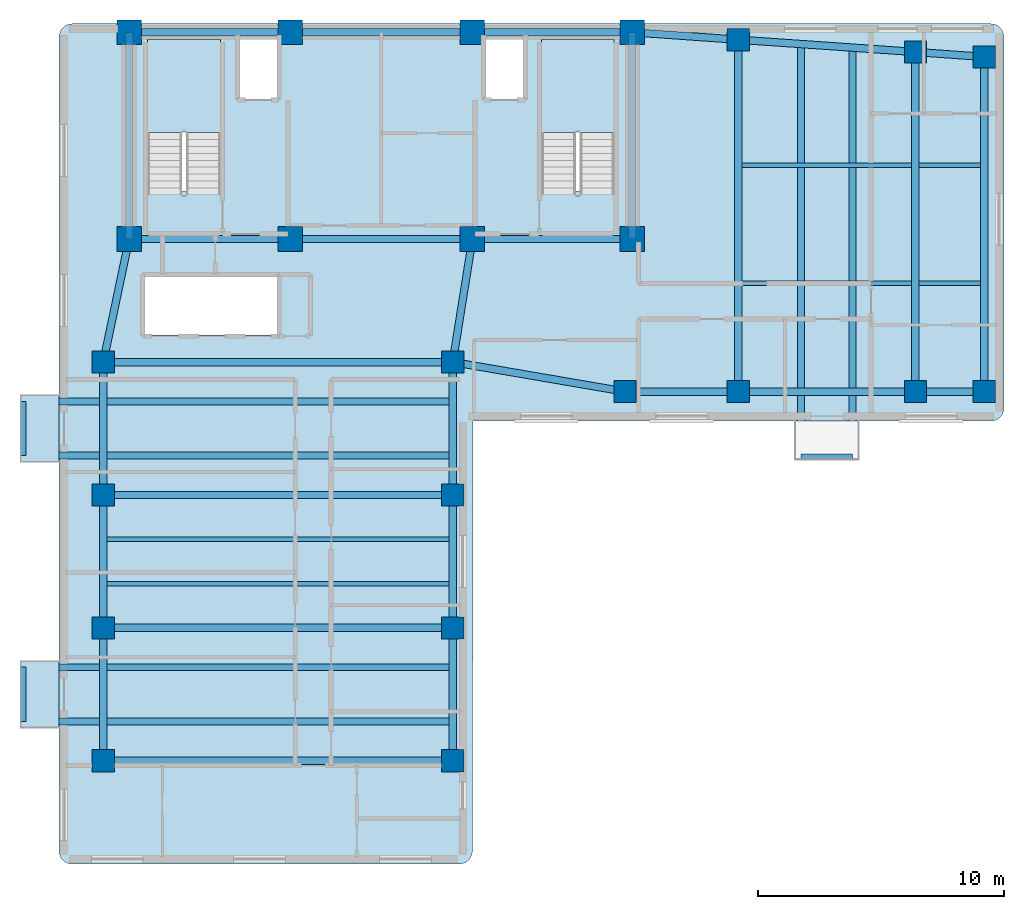
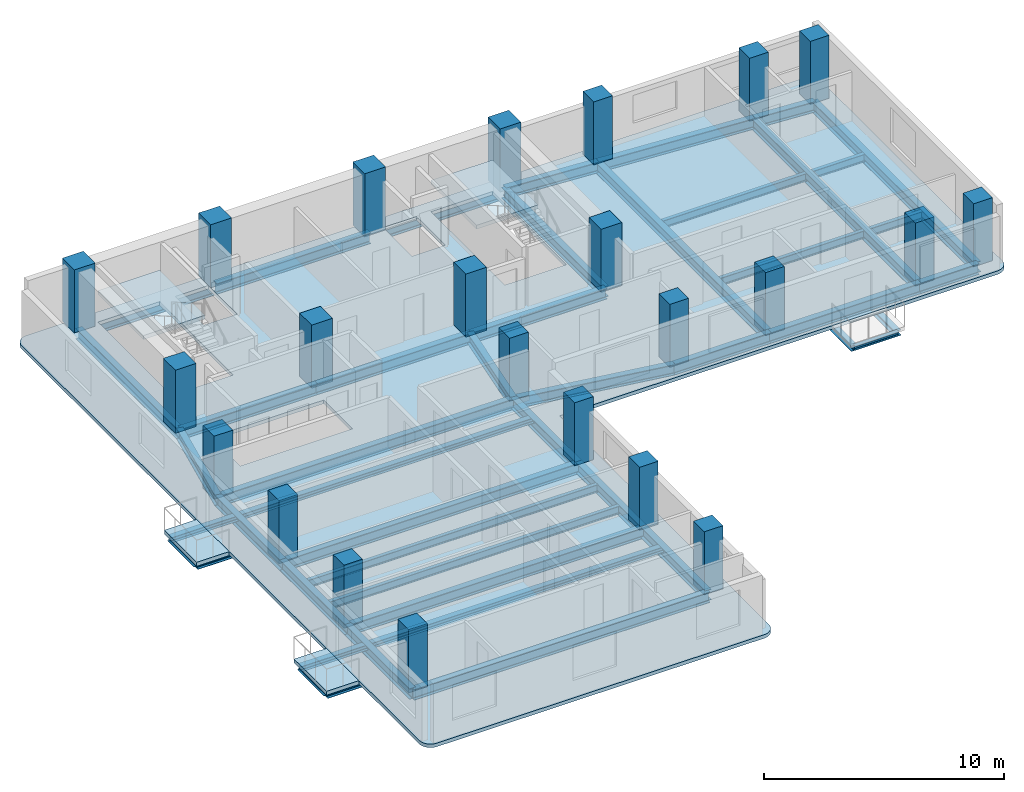
# One storey, part 1 of 7: 45 beams, 23 columns, 5 slabs, 2 elements without a shape of their own.
"""IFC4 building model written with IfcOpenShell, lengths in metres."""

from ifc_helpers import new_model, si_unit, direction, frame, origin, origin_2d, place, context, subcontext, project, spatial, polyline, rectangle, i_section, outline, extrude, material, layer, layer_set, material_profile, profile_set, type_object, element, aggregate, save


model = new_model("IFC4")

# Units and contexts
model_context = context("Model", 3, precision=1e-05, world=origin(), true_north=direction((0.0, 1.0)))
body_context = subcontext(model_context, "Body", "Model", "MODEL_VIEW")
ifc_project = project(units=[si_unit("LENGTHUNIT", "METRE"), si_unit("AREAUNIT", "SQUARE_METRE"), si_unit("VOLUMEUNIT", "CUBIC_METRE"), si_unit("PLANEANGLEUNIT", "RADIAN"), si_unit("MASSUNIT", "GRAM", prefix="KILO")], contexts=[model_context])

# Site, building, storey
site_placement = place(None, origin())
site = spatial("IfcSite", under=ifc_project, at=site_placement, CompositionType="ELEMENT")
building_placement = place(site_placement, origin())
building = spatial("IfcBuilding", under=site, at=building_placement, Name="Kuzgunbayir Cultural Tower", CompositionType="ELEMENT")
storey_placement = place(building_placement, frame((0.0, 0.0, 188.800048828125)))
storey = spatial("IfcBuildingStorey", under=building, at=storey_placement, Name="L55", CompositionType="ELEMENT", Elevation=188.800048828125)

# Columns
ifc_material_1 = material(Name="Concrete C50/60", Category="concrete")
ifc_material_profile_1 = material_profile(ifc_material_1, rectangle(XDim=1.0, YDim=1.0, at=origin_2d()), Name="RC 1000x1000")
ifc_profile_set_1 = profile_set([ifc_material_profile_1], Name="Concrete C50/60")
column_type_1 = type_object("IfcColumnType", Name="COL-CORE-1000", PredefinedType="COLUMN", material=ifc_profile_set_1)
for number, where, z_axis, x_axis, name in (
    (1, (6.449951171875, 33.800048828125, 0.0), (0.0, 0.0, 1.0), (1.0, 0.0, 0.0), "L55 T1 Core Boundary Column CC1-1"),
    (2, (13.0, 33.800048828125, 0.0), (0.0, 0.0, 1.0), (1.0, 0.0, 0.0), "L55 T1 Core Boundary Column CC1-2"),
    (3, (20.39990234375, 33.800048828125, 0.0), (0.0, 0.0, 1.0), (1.0, 0.0, 0.0), "L55 T1 Core Boundary Column CC1-3"),
    (4, (26.89990234375, 33.800048828125, 0.0), (0.0, 0.0, 1.0), (1.0, 0.0, 0.0), "L55 T1 Core Boundary Column CC1-4"),
    (5, (6.449951171875, 42.199951171875, 0.0), (0.0, 0.0, 1.0), (1.0, 0.0, 0.0), "L55 T1 Core Boundary Column CC1-5"),
    (6, (13.0, 42.199951171875, 0.0), (0.0, 0.0, 1.0), (1.0, 0.0, 0.0), "L55 T1 Core Boundary Column CC1-6"),
    (7, (20.39990234375, 42.199951171875, 0.0), (0.0, 0.0, 1.0), (1.0, 0.0, 0.0), "L55 T1 Core Boundary Column CC1-7"),
    (8, (26.89990234375, 42.199951171875, 0.0), (0.0, 0.0, 1.0), (1.0, 0.0, 0.0), "L55 T1 Core Boundary Column CC1-8"),
):
    element("IfcColumn", number, at=place(storey_placement, frame(where, z_axis=z_axis, x_axis=x_axis)), inside=storey, type_object=column_type_1, Name=name, PredefinedType="COLUMN", context=body_context, shape_type="SweptSolid", body=[
        extrude(rectangle(XDim=1.0, YDim=1.0, at=origin_2d()), origin(), (0.0, 0.0, 1.0), 3.199951171875),
    ])
ifc_material_profile_2 = material_profile(ifc_material_1, rectangle(XDim=0.89990234375, YDim=0.89990234375, at=origin_2d()), Name="RC 900x900")
ifc_profile_set_2 = profile_set([ifc_material_profile_2], Name="Concrete C50/60")
column_type_2 = type_object("IfcColumnType", Name="COL-T1-900", PredefinedType="COLUMN", material=ifc_profile_set_2)
for number, where, z_axis, x_axis, name in (
    (9, (5.39990234375, 12.60009765625, 0.0), (0.0, 0.0, 1.0), (1.0, 0.0, 0.0), "L55 Tower 1 Wing A Column T1A-W-1"),
    (10, (19.60009765625, 12.60009765625, 0.0), (0.0, 0.0, 1.0), (1.0, 0.0, 0.0), "L55 Tower 1 Wing A Column T1A-E-1"),
    (11, (5.39990234375, 18.0, 0.0), (0.0, 0.0, 1.0), (1.0, 0.0, 0.0), "L55 Tower 1 Wing A Column T1A-W-2"),
    (12, (19.60009765625, 18.0, 0.0), (0.0, 0.0, 1.0), (1.0, 0.0, 0.0), "L55 Tower 1 Wing A Column T1A-E-2"),
    (13, (5.39990234375, 23.39990234375, 0.0), (0.0, 0.0, 1.0), (1.0, 0.0, 0.0), "L55 Tower 1 Wing A Column T1A-W-3"),
    (14, (19.60009765625, 23.39990234375, 0.0), (0.0, 0.0, 1.0), (1.0, 0.0, 0.0), "L55 Tower 1 Wing A Column T1A-E-3"),
    (15, (5.39990234375, 28.800048828125, 0.0), (0.0, 0.0, 1.0), (1.0, 0.0, 0.0), "L55 Tower 1 Wing A Column T1A-W-4"),
    (16, (19.60009765625, 28.800048828125, 0.0), (0.0, 0.0, 1.0), (1.0, 0.0, 0.0), "L55 Tower 1 Wing A Column T1A-E-4"),
    (17, (26.60009765625, 27.60009765625, 0.0), (0.0, 0.0, 1.0), (1.0, 0.0, 0.0), "L55 Tower 1 Wing B Column T1B-1-1"),
    (18, (31.199951171875, 27.60009765625, 0.0), (0.0, 0.0, 1.0), (1.0, 0.0, 0.0), "L55 Tower 1 Wing B Column T1B-2-1"),
    (19, (31.199951171875, 41.89990234375, 0.0), (0.0, 0.0, 1.0), (1.0, 0.0, 0.0), "L55 Tower 1 Wing B Column T1B-2-2"),
    (20, (38.39990234375, 27.60009765625, 0.0), (0.0, 0.0, 1.0), (1.0, 0.0, 0.0), "L55 Tower 1 Wing B Column T1B-3-1"),
    (21, (38.39990234375, 41.39990234375, 0.0), (0.0, 0.0, 1.0), (1.0, 0.0, 0.0), "L55 Tower 1 Wing B Column T1B-3-2"),
    (22, (41.199951171875, 27.60009765625, 0.0), (0.0, 0.0, 1.0), (1.0, 0.0, 0.0), "L55 Tower 1 Wing B Column T1B-4-1"),
    (23, (41.199951171875, 41.199951171875, 0.0), (0.0, 0.0, 1.0), (1.0, 0.0, 0.0), "L55 Tower 1 Wing B Column T1B-4-2"),
):
    element("IfcColumn", number, at=place(storey_placement, frame(where, z_axis=z_axis, x_axis=x_axis)), inside=storey, type_object=column_type_2, Name=name, PredefinedType="COLUMN", context=body_context, shape_type="SweptSolid", body=[
        extrude(rectangle(XDim=0.89990234375, YDim=0.89990234375, at=origin_2d()), origin(), (0.0, 0.0, 1.0), 3.199951171875),
    ])

# Beams
ifc_material_2 = material(Name="Steel S355J2", Category="steel")
ifc_material_profile_3 = material_profile(ifc_material_2, i_section(OverallWidth=0.280029296875, OverallDepth=0.280029296875, WebThickness=0.010498046875, FlangeThickness=0.01806640625, FilletRadius=0.02392578125, at=origin_2d()), Name="HEB 280")
ifc_profile_set_3 = profile_set([ifc_material_profile_3], Name="Steel S355J2")
beam_type_1 = type_object("IfcBeamType", Name="BM-BAL-HEB280", PredefinedType="BEAM", material=ifc_profile_set_3)
for number, where, z_axis, x_axis, name in (
    (24, (2.159912109375, 14.199951171875, -0.340087890625), (1.0, 0.0, 0.0), (0.0, 1.0, 0.0), "L55 Balcony Outrigger Beam BAL-L55-WA1.1"),
    (25, (2.159912109375, 16.39990234375, -0.340087890625), (1.0, 0.0, 0.0), (0.0, 1.0, 0.0), "L55 Balcony Outrigger Beam BAL-L55-WA1.2"),
    (26, (2.159912109375, 25.0, -0.340087890625), (1.0, 0.0, 0.0), (0.0, 1.0, 0.0), "L55 Balcony Outrigger Beam BAL-L55-WA3.1"),
    (27, (2.159912109375, 27.199951171875, -0.340087890625), (1.0, 0.0, 0.0), (0.0, 1.0, 0.0), "L55 Balcony Outrigger Beam BAL-L55-WA3.2"),
):
    element("IfcBeam", number, at=place(storey_placement, frame(where, z_axis=z_axis, x_axis=x_axis)), inside=storey, type_object=beam_type_1, Name=name, PredefinedType="BEAM", context=body_context, shape_type="SweptSolid", body=[
        extrude(i_section(OverallWidth=0.280029296875, OverallDepth=0.280029296875, WebThickness=0.010498046875, FlangeThickness=0.01806640625, FilletRadius=0.02392578125, at=origin_2d()), origin(), (0.0, 0.0, 1.0), 17.440185546875),
    ])
beam_1_placement = place(storey_placement, frame((33.75, 24.9599609375, -0.340087890625), z_axis=(0.0, 1.0, 0.0), x_axis=(-1.0, 0.0, 0.0)))
element("IfcBeam", 28, at=beam_1_placement, inside=storey, type_object=beam_type_1, Name="L55 Balcony Outrigger Beam BAL-L55-WB2.1", PredefinedType="BEAM", context=body_context, shape_type="SweptSolid", body=[
    extrude(i_section(OverallWidth=0.280029296875, OverallDepth=0.280029296875, WebThickness=0.010498046875, FlangeThickness=0.01806640625, FilletRadius=0.02392578125, at=origin_2d()), origin(), (0.0, 0.0, 1.0), 16.760009765625),
])
beam_2_placement = place(storey_placement, frame((35.85009765625, 24.9599609375, -0.340087890625), z_axis=(0.0, 1.0, 0.0), x_axis=(-1.0, 0.0, 0.0)))
element("IfcBeam", 29, at=beam_2_placement, inside=storey, type_object=beam_type_1, Name="L55 Balcony Outrigger Beam BAL-L55-WB2.2", PredefinedType="BEAM", context=body_context, shape_type="SweptSolid", body=[
    extrude(i_section(OverallWidth=0.280029296875, OverallDepth=0.280029296875, WebThickness=0.010498046875, FlangeThickness=0.01806640625, FilletRadius=0.02392578125, at=origin_2d()), origin(), (0.0, 0.0, 1.0), 16.6201171875),
])
ifc_material_profile_4 = material_profile(ifc_material_2, i_section(OverallWidth=0.199951171875, OverallDepth=0.199951171875, WebThickness=0.009033203125, FlangeThickness=0.014892578125, FilletRadius=0.01806640625, at=origin_2d()), Name="HEB 200")
ifc_profile_set_4 = profile_set([ifc_material_profile_4], Name="Steel S355J2")
beam_type_2 = type_object("IfcBeamType", Name="BM-CAN-HEB200", PredefinedType="BEAM", material=ifc_profile_set_4)
for number, where, z_axis, x_axis, name in (
    (30, (2.159912109375, 14.199951171875, -0.300048828125), (0.0, 1.0, 0.0), (-1.0, 0.0, 0.0), "L55 Balcony Edge Header BAL-L55-WA1"),
    (31, (2.159912109375, 25.0, -0.300048828125), (0.0, 1.0, 0.0), (-1.0, 0.0, 0.0), "L55 Balcony Edge Header BAL-L55-WA3"),
):
    element("IfcBeam", number, at=place(storey_placement, frame(where, z_axis=z_axis, x_axis=x_axis)), inside=storey, type_object=beam_type_2, Name=name, PredefinedType="BEAM", context=body_context, shape_type="SweptSolid", body=[
        extrude(i_section(OverallWidth=0.199951171875, OverallDepth=0.199951171875, WebThickness=0.009033203125, FlangeThickness=0.014892578125, FilletRadius=0.01806640625, at=origin_2d()), origin(), (0.0, 0.0, 1.0), 2.199951171875),
    ])
beam_3_placement = place(storey_placement, frame((33.75, 24.9599609375, -0.300048828125), z_axis=(1.0, 0.0, 0.0), x_axis=(0.0, 1.0, 0.0)))
element("IfcBeam", 32, at=beam_3_placement, inside=storey, type_object=beam_type_2, Name="L55 Balcony Edge Header BAL-L55-WB2", PredefinedType="BEAM", context=body_context, shape_type="SweptSolid", body=[
    extrude(i_section(OverallWidth=0.199951171875, OverallDepth=0.199951171875, WebThickness=0.009033203125, FlangeThickness=0.014892578125, FilletRadius=0.01806640625, at=origin_2d()), origin(), (0.0, 0.0, 1.0), 2.10009765625),
])
ifc_material_profile_5 = material_profile(ifc_material_2, i_section(OverallWidth=0.300048828125, OverallDepth=0.550048828125, WebThickness=0.014892578125, FlangeThickness=0.029052734375, FilletRadius=0.027099609375, at=origin_2d()), Name="HEB 550")
ifc_profile_set_5 = profile_set([ifc_material_profile_5], Name="Steel S355J2")
beam_type_3 = type_object("IfcBeamType", Name="BM-EXT-HEB550", PredefinedType="BEAM", material=ifc_profile_set_5)
for number, where, z_axis, x_axis, name in (
    (33, (5.39990234375, 12.60009765625, -0.4599609375), (0.0, 1.0, 0.0), (-1.0, 0.0, 0.0), "L55 Wing A West Girder 1"),
    (34, (19.60009765625, 12.60009765625, -0.4599609375), (0.0, 1.0, 0.0), (-1.0, 0.0, 0.0), "L55 Wing A East Girder 1"),
    (35, (5.39990234375, 18.0, -0.4599609375), (0.0, 1.0, 0.0), (-1.0, 0.0, 0.0), "L55 Wing A West Girder 2"),
    (36, (19.60009765625, 18.0, -0.4599609375), (0.0, 1.0, 0.0), (-1.0, 0.0, 0.0), "L55 Wing A East Girder 2"),
):
    element("IfcBeam", number, at=place(storey_placement, frame(where, z_axis=z_axis, x_axis=x_axis)), inside=storey, type_object=beam_type_3, Name=name, PredefinedType="BEAM", context=body_context, shape_type="SweptSolid", body=[
        extrude(i_section(OverallWidth=0.300048828125, OverallDepth=0.550048828125, WebThickness=0.014892578125, FlangeThickness=0.029052734375, FilletRadius=0.027099609375, at=origin_2d()), origin(), (0.0, 0.0, 1.0), 5.39990234375),
    ])
for number, where, z_axis, x_axis, name in (
    (37, (5.39990234375, 23.39990234375, -0.4599609375), (0.0, 1.0, 0.0), (-1.0, 0.0, 0.0), "L55 Wing A West Girder 3"),
    (38, (19.60009765625, 23.39990234375, -0.4599609375), (0.0, 1.0, 0.0), (-1.0, 0.0, 0.0), "L55 Wing A East Girder 3"),
):
    element("IfcBeam", number, at=place(storey_placement, frame(where, z_axis=z_axis, x_axis=x_axis)), inside=storey, type_object=beam_type_3, Name=name, PredefinedType="BEAM", context=body_context, shape_type="SweptSolid", body=[
        extrude(i_section(OverallWidth=0.300048828125, OverallDepth=0.550048828125, WebThickness=0.014892578125, FlangeThickness=0.029052734375, FilletRadius=0.027099609375, at=origin_2d()), origin(), (0.0, 0.0, 1.0), 5.400146484375),
    ])
beam_4_placement = place(storey_placement, frame((26.60009765625, 27.60009765625, -0.4599609375), z_axis=(1.0, 0.0, 0.0), x_axis=(0.0, 1.0, 0.0)))
element("IfcBeam", 39, at=beam_4_placement, inside=storey, type_object=beam_type_3, Name="L55 Wing B South Girder 1", PredefinedType="BEAM", context=body_context, shape_type="SweptSolid", body=[
    extrude(i_section(OverallWidth=0.300048828125, OverallDepth=0.550048828125, WebThickness=0.014892578125, FlangeThickness=0.029052734375, FilletRadius=0.027099609375, at=origin_2d()), origin(), (0.0, 0.0, 1.0), 4.599853515625),
])
beam_5_placement = place(storey_placement, frame((26.89990234375, 42.199951171875, -0.4599609375), z_axis=(0.997574369175, -0.069608749203, 0.0), x_axis=(0.069608749203, 0.997574369175, 0.0)))
element("IfcBeam", 40, at=beam_5_placement, inside=storey, type_object=beam_type_3, Name="L55 Wing B North Girder 1", PredefinedType="BEAM", context=body_context, shape_type="SweptSolid", body=[
    extrude(i_section(OverallWidth=0.300048828125, OverallDepth=0.550048828125, WebThickness=0.014892578125, FlangeThickness=0.029052734375, FilletRadius=0.027099609375, at=origin_2d()), origin(), (0.0, 0.0, 1.0), 4.310546875),
])
beam_6_placement = place(storey_placement, frame((31.199951171875, 27.60009765625, -0.4599609375), z_axis=(1.0, 0.0, 0.0), x_axis=(0.0, 1.0, 0.0)))
element("IfcBeam", 41, at=beam_6_placement, inside=storey, type_object=beam_type_3, Name="L55 Wing B South Girder 2", PredefinedType="BEAM", context=body_context, shape_type="SweptSolid", body=[
    extrude(i_section(OverallWidth=0.300048828125, OverallDepth=0.550048828125, WebThickness=0.014892578125, FlangeThickness=0.029052734375, FilletRadius=0.027099609375, at=origin_2d()), origin(), (0.0, 0.0, 1.0), 7.199951171875),
])
beam_7_placement = place(storey_placement, frame((31.199951171875, 41.89990234375, -0.4599609375), z_axis=(0.997597388498, -0.069278066245, 0.0), x_axis=(0.069278066245, 0.997597388498, 0.0)))
element("IfcBeam", 42, at=beam_7_placement, inside=storey, type_object=beam_type_3, Name="L55 Wing B North Girder 2", PredefinedType="BEAM", context=body_context, shape_type="SweptSolid", body=[
    extrude(i_section(OverallWidth=0.300048828125, OverallDepth=0.550048828125, WebThickness=0.014892578125, FlangeThickness=0.029052734375, FilletRadius=0.027099609375, at=origin_2d()), origin(), (0.0, 0.0, 1.0), 7.21728515625),
])
beam_8_placement = place(storey_placement, frame((38.39990234375, 27.60009765625, -0.4599609375), z_axis=(1.0, 0.0, 0.0), x_axis=(0.0, 1.0, 0.0)))
element("IfcBeam", 43, at=beam_8_placement, inside=storey, type_object=beam_type_3, Name="L55 Wing B South Girder 3", PredefinedType="BEAM", context=body_context, shape_type="SweptSolid", body=[
    extrude(i_section(OverallWidth=0.300048828125, OverallDepth=0.550048828125, WebThickness=0.014892578125, FlangeThickness=0.029052734375, FilletRadius=0.027099609375, at=origin_2d()), origin(), (0.0, 0.0, 1.0), 2.800048828125),
])
beam_9_placement = place(storey_placement, frame((38.39990234375, 41.39990234375, -0.4599609375), z_axis=(0.997460024076, -0.071228508128, 0.0), x_axis=(0.071228508128, 0.997460024076, 0.0)))
element("IfcBeam", 44, at=beam_9_placement, inside=storey, type_object=beam_type_3, Name="L55 Wing B North Girder 3", PredefinedType="BEAM", context=body_context, shape_type="SweptSolid", body=[
    extrude(i_section(OverallWidth=0.300048828125, OverallDepth=0.550048828125, WebThickness=0.014892578125, FlangeThickness=0.029052734375, FilletRadius=0.027099609375, at=origin_2d()), origin(), (0.0, 0.0, 1.0), 2.80712890625),
])
ifc_material_profile_6 = material_profile(ifc_material_2, i_section(OverallWidth=0.300048828125, OverallDepth=0.550048828125, WebThickness=0.014892578125, FlangeThickness=0.029052734375, FilletRadius=0.027099609375, at=origin_2d()), Name="HEB 550")
ifc_profile_set_6 = profile_set([ifc_material_profile_6], Name="Steel S355J2")
beam_type_4 = type_object("IfcBeamType", Name="BM-GIR-HEB550", PredefinedType="BEAM", material=ifc_profile_set_6)
beam_10_placement = place(storey_placement, frame((6.449951171875, 33.800048828125, -0.4599609375), z_axis=(1.0, 0.0, 0.0), x_axis=(0.0, 1.0, 0.0)))
element("IfcBeam", 45, at=beam_10_placement, inside=storey, type_object=beam_type_4, Name="L55 Core South Girder 1", PredefinedType="BEAM", context=body_context, shape_type="SweptSolid", body=[
    extrude(i_section(OverallWidth=0.300048828125, OverallDepth=0.550048828125, WebThickness=0.014892578125, FlangeThickness=0.029052734375, FilletRadius=0.027099609375, at=origin_2d()), origin(), (0.0, 0.0, 1.0), 6.550048828125),
])
beam_11_placement = place(storey_placement, frame((13.0, 33.800048828125, -0.4599609375), z_axis=(1.0, 0.0, 0.0), x_axis=(0.0, 1.0, 0.0)))
element("IfcBeam", 46, at=beam_11_placement, inside=storey, type_object=beam_type_4, Name="L55 Core South Girder 2", PredefinedType="BEAM", context=body_context, shape_type="SweptSolid", body=[
    extrude(i_section(OverallWidth=0.300048828125, OverallDepth=0.550048828125, WebThickness=0.014892578125, FlangeThickness=0.029052734375, FilletRadius=0.027099609375, at=origin_2d()), origin(), (0.0, 0.0, 1.0), 7.39990234375),
])
beam_12_placement = place(storey_placement, frame((20.39990234375, 33.800048828125, -0.4599609375), z_axis=(1.0, 0.0, 0.0), x_axis=(0.0, 1.0, 0.0)))
element("IfcBeam", 47, at=beam_12_placement, inside=storey, type_object=beam_type_4, Name="L55 Core South Girder 3", PredefinedType="BEAM", context=body_context, shape_type="SweptSolid", body=[
    extrude(i_section(OverallWidth=0.300048828125, OverallDepth=0.550048828125, WebThickness=0.014892578125, FlangeThickness=0.029052734375, FilletRadius=0.027099609375, at=origin_2d()), origin(), (0.0, 0.0, 1.0), 6.5),
])
beam_13_placement = place(storey_placement, frame((6.449951171875, 42.199951171875, -0.4599609375), z_axis=(1.0, 0.0, 0.0), x_axis=(0.0, 1.0, 0.0)))
element("IfcBeam", 48, at=beam_13_placement, inside=storey, type_object=beam_type_4, Name="L55 Core North Girder 1", PredefinedType="BEAM", context=body_context, shape_type="SweptSolid", body=[
    extrude(i_section(OverallWidth=0.300048828125, OverallDepth=0.550048828125, WebThickness=0.014892578125, FlangeThickness=0.029052734375, FilletRadius=0.027099609375, at=origin_2d()), origin(), (0.0, 0.0, 1.0), 6.550048828125),
])
beam_14_placement = place(storey_placement, frame((13.0, 42.199951171875, -0.4599609375), z_axis=(1.0, 0.0, 0.0), x_axis=(0.0, 1.0, 0.0)))
element("IfcBeam", 49, at=beam_14_placement, inside=storey, type_object=beam_type_4, Name="L55 Core North Girder 2", PredefinedType="BEAM", context=body_context, shape_type="SweptSolid", body=[
    extrude(i_section(OverallWidth=0.300048828125, OverallDepth=0.550048828125, WebThickness=0.014892578125, FlangeThickness=0.029052734375, FilletRadius=0.027099609375, at=origin_2d()), origin(), (0.0, 0.0, 1.0), 7.39990234375),
])
beam_15_placement = place(storey_placement, frame((20.39990234375, 42.199951171875, -0.4599609375), z_axis=(1.0, 0.0, 0.0), x_axis=(0.0, 1.0, 0.0)))
element("IfcBeam", 50, at=beam_15_placement, inside=storey, type_object=beam_type_4, Name="L55 Core North Girder 3", PredefinedType="BEAM", context=body_context, shape_type="SweptSolid", body=[
    extrude(i_section(OverallWidth=0.300048828125, OverallDepth=0.550048828125, WebThickness=0.014892578125, FlangeThickness=0.029052734375, FilletRadius=0.027099609375, at=origin_2d()), origin(), (0.0, 0.0, 1.0), 6.5),
])
for number, where, z_axis, x_axis, name in (
    (51, (6.449951171875, 33.800048828125, -0.4599609375), (0.0, 1.0, 0.0), (-1.0, 0.0, 0.0), "L55 Core West Edge Girder"),
    (52, (26.89990234375, 33.800048828125, -0.4599609375), (0.0, 1.0, 0.0), (-1.0, 0.0, 0.0), "L55 Core East Edge Girder"),
):
    element("IfcBeam", number, at=place(storey_placement, frame(where, z_axis=z_axis, x_axis=x_axis)), inside=storey, type_object=beam_type_4, Name=name, PredefinedType="BEAM", context=body_context, shape_type="SweptSolid", body=[
        extrude(i_section(OverallWidth=0.300048828125, OverallDepth=0.550048828125, WebThickness=0.014892578125, FlangeThickness=0.029052734375, FilletRadius=0.027099609375, at=origin_2d()), origin(), (0.0, 0.0, 1.0), 8.39990234375),
    ])
for number, where, z_axis, x_axis, name in (
    (53, (5.39990234375, 12.60009765625, -0.4599609375), (1.0, 0.0, 0.0), (0.0, 1.0, 0.0), "L55 Wing A Transverse Girder 1"),
    (54, (5.39990234375, 18.0, -0.4599609375), (1.0, 0.0, 0.0), (0.0, 1.0, 0.0), "L55 Wing A Transverse Girder 2"),
    (55, (5.39990234375, 23.39990234375, -0.4599609375), (1.0, 0.0, 0.0), (0.0, 1.0, 0.0), "L55 Wing A Transverse Girder 3"),
    (56, (5.39990234375, 28.800048828125, -0.4599609375), (1.0, 0.0, 0.0), (0.0, 1.0, 0.0), "L55 Wing A Transverse Girder 4"),
):
    element("IfcBeam", number, at=place(storey_placement, frame(where, z_axis=z_axis, x_axis=x_axis)), inside=storey, type_object=beam_type_4, Name=name, PredefinedType="BEAM", context=body_context, shape_type="SweptSolid", body=[
        extrude(i_section(OverallWidth=0.300048828125, OverallDepth=0.550048828125, WebThickness=0.014892578125, FlangeThickness=0.029052734375, FilletRadius=0.027099609375, at=origin_2d()), origin(), (0.0, 0.0, 1.0), 14.2001953125),
    ])
beam_16_placement = place(storey_placement, frame((5.39990234375, 28.800048828125, -0.4599609375), z_axis=(0.205526387753, 0.978651574329, 0.0), x_axis=(-0.978651574329, 0.205526387753, 0.0)))
element("IfcBeam", 57, at=beam_16_placement, inside=storey, type_object=beam_type_4, Name="L55 Wing A West Core Floor Girder", PredefinedType="BEAM", context=body_context, shape_type="SweptSolid", body=[
    extrude(i_section(OverallWidth=0.300048828125, OverallDepth=0.550048828125, WebThickness=0.014892578125, FlangeThickness=0.029052734375, FilletRadius=0.027099609375, at=origin_2d()), origin(), (0.0, 0.0, 1.0), 5.109130859375),
])
beam_17_placement = place(storey_placement, frame((19.60009765625, 28.800048828125, -0.4599609375), z_axis=(0.157952891656, 0.987446648694, 0.0), x_axis=(-0.987446648694, 0.157952891656, 0.0)))
element("IfcBeam", 58, at=beam_17_placement, inside=storey, type_object=beam_type_4, Name="L55 Wing A East Core Floor Girder", PredefinedType="BEAM", context=body_context, shape_type="SweptSolid", body=[
    extrude(i_section(OverallWidth=0.300048828125, OverallDepth=0.550048828125, WebThickness=0.014892578125, FlangeThickness=0.029052734375, FilletRadius=0.027099609375, at=origin_2d()), origin(), (0.0, 0.0, 1.0), 5.0634765625),
])
beam_18_placement = place(storey_placement, frame((31.199951171875, 27.60009765625, -0.4599609375), z_axis=(0.0, 1.0, 0.0), x_axis=(-1.0, 0.0, 0.0)))
element("IfcBeam", 59, at=beam_18_placement, inside=storey, type_object=beam_type_4, Name="L55 Wing B Cross Girder 31", PredefinedType="BEAM", context=body_context, shape_type="SweptSolid", body=[
    extrude(i_section(OverallWidth=0.300048828125, OverallDepth=0.550048828125, WebThickness=0.014892578125, FlangeThickness=0.029052734375, FilletRadius=0.027099609375, at=origin_2d()), origin(), (0.0, 0.0, 1.0), 14.2998046875),
])
beam_19_placement = place(storey_placement, frame((38.39990234375, 27.60009765625, -0.4599609375), z_axis=(0.0, 1.0, 0.0), x_axis=(-1.0, 0.0, 0.0)))
element("IfcBeam", 60, at=beam_19_placement, inside=storey, type_object=beam_type_4, Name="L55 Wing B Cross Girder 38", PredefinedType="BEAM", context=body_context, shape_type="SweptSolid", body=[
    extrude(i_section(OverallWidth=0.300048828125, OverallDepth=0.550048828125, WebThickness=0.014892578125, FlangeThickness=0.029052734375, FilletRadius=0.027099609375, at=origin_2d()), origin(), (0.0, 0.0, 1.0), 13.7998046875),
])
beam_20_placement = place(storey_placement, frame((41.199951171875, 27.60009765625, -0.4599609375), z_axis=(0.0, 1.0, 0.0), x_axis=(-1.0, 0.0, 0.0)))
element("IfcBeam", 61, at=beam_20_placement, inside=storey, type_object=beam_type_4, Name="L55 Wing B Cross Girder 41", PredefinedType="BEAM", context=body_context, shape_type="SweptSolid", body=[
    extrude(i_section(OverallWidth=0.300048828125, OverallDepth=0.550048828125, WebThickness=0.014892578125, FlangeThickness=0.029052734375, FilletRadius=0.027099609375, at=origin_2d()), origin(), (0.0, 0.0, 1.0), 13.599853515625),
])
beam_21_placement = place(storey_placement, frame((19.60009765625, 28.800048828125, -0.4599609375), z_axis=(0.985623399742, -0.168957136221, 0.0), x_axis=(0.168957136221, 0.985623399742, 0.0)))
element("IfcBeam", 62, at=beam_21_placement, inside=storey, type_object=beam_type_4, Name="L55 Wing B Waist Tie Girder", PredefinedType="BEAM", context=body_context, shape_type="SweptSolid", body=[
    extrude(i_section(OverallWidth=0.300048828125, OverallDepth=0.550048828125, WebThickness=0.014892578125, FlangeThickness=0.029052734375, FilletRadius=0.027099609375, at=origin_2d()), origin(), (0.0, 0.0, 1.0), 7.10205078125),
])
ifc_material_profile_7 = material_profile(ifc_material_2, i_section(OverallWidth=0.179931640625, OverallDepth=0.39990234375, WebThickness=0.008544921875, FlangeThickness=0.013427734375, FilletRadius=0.02099609375, at=origin_2d()), Name="IPE 400")
ifc_profile_set_7 = profile_set([ifc_material_profile_7], Name="Steel S355J2")
beam_type_5 = type_object("IfcBeamType", Name="BM-JST-IPE400", PredefinedType="JOIST", material=ifc_profile_set_7)
for number, where, z_axis, x_axis, name in (
    (63, (5.550048828125, 19.800048828125, -0.380126953125), (1.0, 0.0, 0.0), (0.0, 1.0, 0.0), "L55 Wing A Secondary Joist 3"),
    (64, (5.550048828125, 21.60009765625, -0.380126953125), (1.0, 0.0, 0.0), (0.0, 1.0, 0.0), "L55 Wing A Secondary Joist 4"),
):
    element("IfcBeam", number, at=place(storey_placement, frame(where, z_axis=z_axis, x_axis=x_axis)), inside=storey, type_object=beam_type_5, Name=name, PredefinedType="JOIST", context=body_context, shape_type="SweptSolid", body=[
        extrude(i_section(OverallWidth=0.179931640625, OverallDepth=0.39990234375, WebThickness=0.008544921875, FlangeThickness=0.013427734375, FilletRadius=0.02099609375, at=origin_2d()), origin(), (0.0, 0.0, 1.0), 13.89990234375),
    ])
for number, where, z_axis, x_axis, name in (
    (65, (31.35009765625, 32.0, -0.380126953125), (1.0, 0.0, 0.0), (0.0, 1.0, 0.0), "L55 Wing B Secondary Joist 1.1"),
    (66, (31.35009765625, 36.800048828125, -0.380126953125), (1.0, 0.0, 0.0), (0.0, 1.0, 0.0), "L55 Wing B Secondary Joist 1.2"),
):
    element("IfcBeam", number, at=place(storey_placement, frame(where, z_axis=z_axis, x_axis=x_axis)), inside=storey, type_object=beam_type_5, Name=name, PredefinedType="JOIST", context=body_context, shape_type="SweptSolid", body=[
        extrude(i_section(OverallWidth=0.179931640625, OverallDepth=0.39990234375, WebThickness=0.008544921875, FlangeThickness=0.013427734375, FilletRadius=0.02099609375, at=origin_2d()), origin(), (0.0, 0.0, 1.0), 6.89990234375),
    ])
for number, where, z_axis, x_axis, name in (
    (67, (38.550048828125, 32.0, -0.380126953125), (1.0, 0.0, 0.0), (0.0, 1.0, 0.0), "L55 Wing B Secondary Joist 2.1"),
    (68, (38.550048828125, 36.800048828125, -0.380126953125), (1.0, 0.0, 0.0), (0.0, 1.0, 0.0), "L55 Wing B Secondary Joist 2.2"),
):
    element("IfcBeam", number, at=place(storey_placement, frame(where, z_axis=z_axis, x_axis=x_axis)), inside=storey, type_object=beam_type_5, Name=name, PredefinedType="JOIST", context=body_context, shape_type="SweptSolid", body=[
        extrude(i_section(OverallWidth=0.179931640625, OverallDepth=0.39990234375, WebThickness=0.008544921875, FlangeThickness=0.013427734375, FilletRadius=0.02099609375, at=origin_2d()), origin(), (0.0, 0.0, 1.0), 2.5),
    ])

# Slabs
ifc_material_3 = material(Name="Concrete C40/50", Category="concrete")
ifc_layer_1 = layer(ifc_material_3, 0.199951171875)
ifc_layer_set_1 = layer_set([ifc_layer_1], Name="Concrete C40/50")
slab_type_1 = type_object("IfcSlabType", Name="SLB-BAL-STONE", PredefinedType="FLOOR", material=ifc_layer_set_1)
slab_1_placement = place(storey_placement, frame((0.0, 0.0, -0.199951171875)))
element("IfcSlab", 69, at=slab_1_placement, inside=storey, type_object=slab_type_1, Name="L55 Projecting Limestone Balcony BAL-L55-WA1", PredefinedType="FLOOR", context=body_context, shape_type="SweptSolid", body=[
    extrude(outline(polyline([(2.0400390625, 13.949951171875), (3.60009765625, 13.949951171875), (3.60009765625, 16.64990234375), (2.0400390625, 16.64990234375), (2.0400390625, 13.949951171875)])), origin(), (0.0, 0.0, 1.0), 0.199951171875),
])
slab_2_placement = place(storey_placement, frame((0.0, 0.0, -0.199951171875)))
element("IfcSlab", 70, at=slab_2_placement, inside=storey, type_object=slab_type_1, Name="L55 Projecting Limestone Balcony BAL-L55-WA3", PredefinedType="FLOOR", context=body_context, shape_type="SweptSolid", body=[
    extrude(outline(polyline([(2.0400390625, 24.75), (3.60009765625, 24.75), (3.60009765625, 27.449951171875), (2.0400390625, 27.449951171875), (2.0400390625, 24.75)])), origin(), (0.0, 0.0, 1.0), 0.199951171875),
])

# Stair, slab
stair_type = type_object("IfcStairType", Name="STR-EXIT-CORE", PredefinedType="HALF_TURN_STAIR", material=ifc_material_3)
stair_1_placement = place(storey_placement, origin())
stair_1 = element("IfcStair", 71, at=stair_1_placement, inside=storey, type_object=stair_type, Name="L55 ST-1", PredefinedType="HALF_TURN_STAIR")
ifc_layer_2 = layer(ifc_material_3, 0.179931640625)
ifc_layer_set_2 = layer_set([ifc_layer_2], Name="Concrete C40/50")
slab_type_2 = type_object("IfcSlabType", Name="SLB-LANDING-180", PredefinedType="LANDING", material=ifc_layer_set_2)
slab_3_placement = place(storey_placement, frame((0.0, 0.0, 1.39990234375)))
slab_3 = element("IfcSlab", 72, at=slab_3_placement, type_object=slab_type_2, Name="ST-1 landing 1", PredefinedType="LANDING", context=body_context, shape_type="SweptSolid", body=[
    extrude(outline(polyline([(10.159912109375, 38.1201171875), (10.159912109375, 41.89990234375), (7.199951171875, 41.89990234375), (7.199951171875, 38.1201171875), (10.159912109375, 38.1201171875)])), origin(), (0.0, 0.0, 1.0), 0.199951171875),
])
aggregate(stair_1, [slab_3])

stair_2_placement = place(storey_placement, origin())
stair_2 = element("IfcStair", 73, at=stair_2_placement, inside=storey, type_object=stair_type, Name="L55 ST-2", PredefinedType="HALF_TURN_STAIR")
slab_4_placement = place(storey_placement, frame((0.0, 0.0, 1.39990234375)))
slab_4 = element("IfcSlab", 74, at=slab_4_placement, type_object=slab_type_2, Name="ST-2 landing 1", PredefinedType="LANDING", context=body_context, shape_type="SweptSolid", body=[
    extrude(outline(polyline([(26.159912109375, 38.1201171875), (26.159912109375, 41.89990234375), (23.199951171875, 41.89990234375), (23.199951171875, 38.1201171875), (26.159912109375, 38.1201171875)])), origin(), (0.0, 0.0, 1.0), 0.199951171875),
])
aggregate(stair_2, [slab_4])

# Slab
ifc_layer_3 = layer(ifc_material_3, 0.179931640625)
ifc_layer_set_3 = layer_set([ifc_layer_3], Name="Concrete C40/50")
slab_type_3 = type_object("IfcSlabType", Name="SLB-TYP-180", PredefinedType="FLOOR", material=ifc_layer_set_3)
slab_5_placement = place(storey_placement, frame((0.0, 0.0, -0.179931640625)))
element("IfcSlab", 75, at=slab_5_placement, inside=storey, type_object=slab_type_3, Name="L55 Tower 1 Floor Slab T1-MAIN", PredefinedType="FLOOR", context=body_context, shape_type="SweptSolid", body=[
    extrude(outline(polyline([(20.39990234375, 8.949951171875), (20.389892578125, 8.840087890625), (20.360107421875, 8.739990234375), (20.31005859375, 8.639892578125), (20.239990234375, 8.56005859375), (20.159912109375, 8.489990234375), (20.06005859375, 8.43994140625), (19.9599609375, 8.409912109375), (19.85009765625, 8.39990234375), (4.14990234375, 8.39990234375), (4.0400390625, 8.409912109375), (3.93994140625, 8.43994140625), (3.840087890625, 8.489990234375), (3.760009765625, 8.56005859375), (3.68994140625, 8.639892578125), (3.639892578125, 8.739990234375), (3.610107421875, 8.840087890625), (3.60009765625, 8.949951171875), (3.60009765625, 42.0), (3.610107421875, 42.110107421875), (3.639892578125, 42.2099609375), (3.68994140625, 42.31005859375), (3.760009765625, 42.389892578125), (3.840087890625, 42.4599609375), (3.93994140625, 42.510009765625), (4.0400390625, 42.5400390625), (4.14990234375, 42.550048828125), (41.449951171875, 42.550048828125), (41.56005859375, 42.5400390625), (41.659912109375, 42.510009765625), (41.760009765625, 42.4599609375), (41.840087890625, 42.389892578125), (41.909912109375, 42.31005859375), (41.9599609375, 42.2099609375), (41.989990234375, 42.110107421875), (42.0, 42.0), (42.0, 26.949951171875), (41.989990234375, 26.840087890625), (41.9599609375, 26.739990234375), (41.909912109375, 26.639892578125), (41.840087890625, 26.56005859375), (41.760009765625, 26.489990234375), (41.659912109375, 26.43994140625), (41.56005859375, 26.409912109375), (41.449951171875, 26.39990234375), (20.429931640625, 26.39990234375), (20.39990234375, 8.949951171875)]), holes=[polyline([(7.199951171875, 35.760009765625), (7.199951171875, 41.89990234375), (10.159912109375, 41.89990234375), (10.159912109375, 35.760009765625), (7.199951171875, 35.760009765625)]), polyline([(23.199951171875, 35.760009765625), (23.199951171875, 41.89990234375), (26.159912109375, 41.89990234375), (26.159912109375, 35.760009765625), (23.199951171875, 35.760009765625)]), polyline([(7.10009765625, 29.89990234375), (7.10009765625, 32.300048828125), (12.5, 32.300048828125), (12.5, 29.89990234375), (7.10009765625, 29.89990234375)]), polyline([(10.89990234375, 39.5), (10.89990234375, 41.89990234375), (12.5, 41.89990234375), (12.5, 39.5), (10.89990234375, 39.5)]), polyline([(20.89990234375, 39.5), (20.89990234375, 41.89990234375), (22.5, 41.89990234375), (22.5, 39.5), (20.89990234375, 39.5)])]), origin(), (0.0, 0.0, 1.0), 0.179931640625),
])

save(model, "model.ifc")
